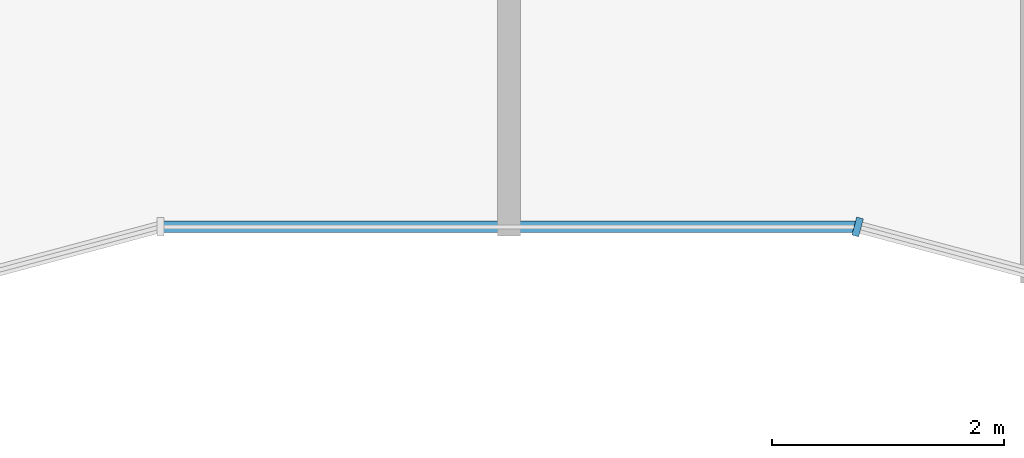
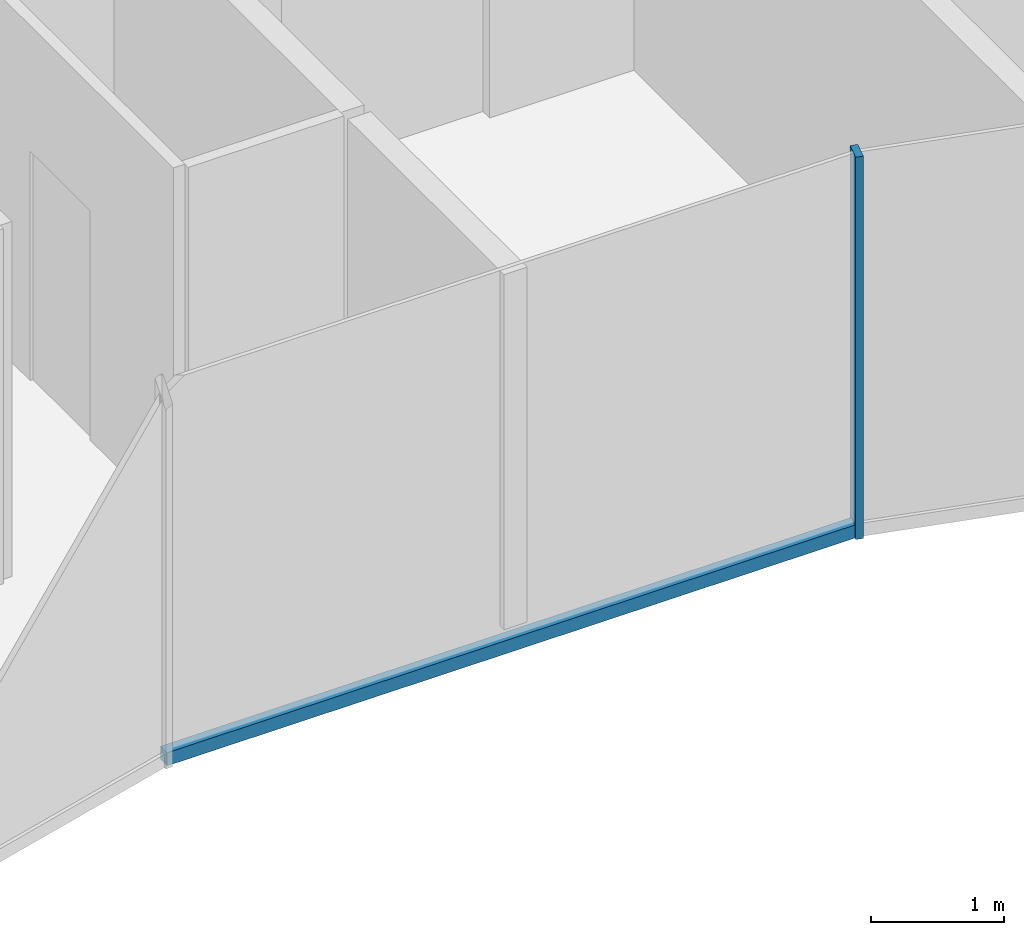
# One storey, part 3 of 10: 2 members, 2 elements without a shape of their own.
"""IFC4 building model written with IfcOpenShell, lengths in metres."""

from ifc_helpers import new_model, si_unit, direction, frame, origin, origin_2d, place, context, subcontext, project, spatial, rectangle, extrude, material, layer, layer_set, material_profile, profile_set, type_object, element, aggregate, save


model = new_model("IFC4")

# Units and contexts
model_context = context("Model", 3, precision=1e-05, world=origin(), true_north=direction((0.0, 1.0)))
body_context = subcontext(model_context, "Body", "Model", "MODEL_VIEW")
ifc_project = project(units=[si_unit("LENGTHUNIT", "METRE"), si_unit("AREAUNIT", "SQUARE_METRE"), si_unit("VOLUMEUNIT", "CUBIC_METRE"), si_unit("PLANEANGLEUNIT", "RADIAN"), si_unit("MASSUNIT", "GRAM", prefix="KILO")], contexts=[model_context])

# Site, building, storey
site_placement = place(None, origin())
site = spatial("IfcSite", under=ifc_project, at=site_placement, CompositionType="ELEMENT")
building_placement = place(site_placement, origin())
building = spatial("IfcBuilding", under=site, at=building_placement, Name="Plateau Cross Towers", CompositionType="ELEMENT")
storey_placement = place(building_placement, frame((0.0, 0.0, 252.89990234375)))
storey = spatial("IfcBuildingStorey", under=building, at=storey_placement, Name="L66", CompositionType="ELEMENT", Elevation=252.89990234375)

# Curtain wall, member
ifc_material_1 = material(Name="Dark low-iron glass", Category="glass")
ifc_layer = layer(ifc_material_1, 0.260009765625)
ifc_layer_set = layer_set([ifc_layer], Name="Dark low-iron glass")
curtain_wall_type = type_object("IfcCurtainWallType", Name="Curtain wall fluted unitised CW-A", PredefinedType="NOTDEFINED", material=ifc_layer_set)
curtain_wall_1_placement = place(storey_placement, origin())
curtain_wall_1 = element("IfcCurtainWall", 1, at=curtain_wall_1_placement, inside=storey, type_object=curtain_wall_type, Name="ENV/A/L66/A300_16", PredefinedType="NOTDEFINED")
ifc_material_2 = material(Name="Black anodised aluminium", Category="aluminium")
ifc_material_profile_1 = material_profile(ifc_material_2, rectangle(XDim=0.06005859375, YDim=0.159912109375, at=origin_2d()), Name="MULLION 60x160")
ifc_profile_set_1 = profile_set([ifc_material_profile_1], Name="Black anodised aluminium")
member_type_1 = type_object("IfcMemberType", Name="Mullion 60x160 fluted unitised", PredefinedType="MULLION", material=ifc_profile_set_1)
member_1_placement = place(storey_placement, frame((30.0, 1.60693359375, -0.25), z_axis=(0.0, 0.0, 1.0), x_axis=(0.965957983404, -0.258699003279, 0.0)))
member_1 = element("IfcMember", 2, at=member_1_placement, type_object=member_type_1, Name="CW-A mullion 1", PredefinedType="MULLION", context=body_context, shape_type="SweptSolid", body=[
    extrude(rectangle(XDim=0.06005859375, YDim=0.159912109375, at=origin_2d()), origin(), (0.0, 0.0, 1.0), 3.5),
])
aggregate(curtain_wall_1, [member_1])

curtain_wall_2_placement = place(storey_placement, origin())
curtain_wall_2 = element("IfcCurtainWall", 3, at=curtain_wall_2_placement, inside=storey, type_object=curtain_wall_type, Name="ENV/A/L66/A240_16", PredefinedType="NOTDEFINED")
ifc_material_profile_2 = material_profile(ifc_material_2, rectangle(XDim=0.10009765625, YDim=0.1201171875, at=origin_2d()), Name="TRANSOM 100x120")
ifc_profile_set_2 = profile_set([ifc_material_profile_2], Name="Black anodised aluminium")
member_type_2 = type_object("IfcMemberType", Name="Transom 100x120 fluted unitised", PredefinedType="USERDEFINED", material=ifc_profile_set_2)
member_2_placement = place(storey_placement, frame((24.0, 1.60693359375, -0.18994140625), z_axis=(1.0, 0.0, 0.0), x_axis=(0.0, 1.0, 0.0)))
member_2 = element("IfcMember", 4, at=member_2_placement, type_object=member_type_2, Name="CW-A transom", ObjectType="TRANSOM", PredefinedType="USERDEFINED", context=body_context, shape_type="SweptSolid", body=[
    extrude(rectangle(XDim=0.10009765625, YDim=0.1201171875, at=origin_2d()), origin(), (0.0, 0.0, 1.0), 6.0),
])
aggregate(curtain_wall_2, [member_2])

save(model, "model.ifc")
